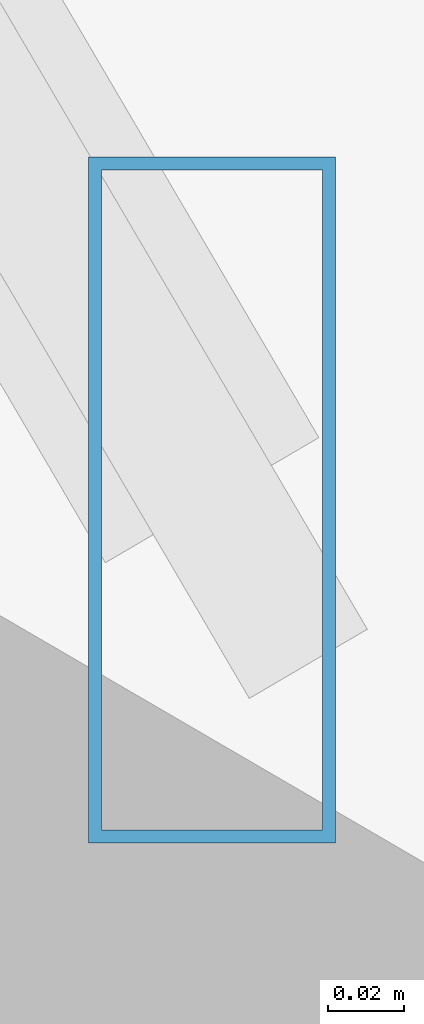
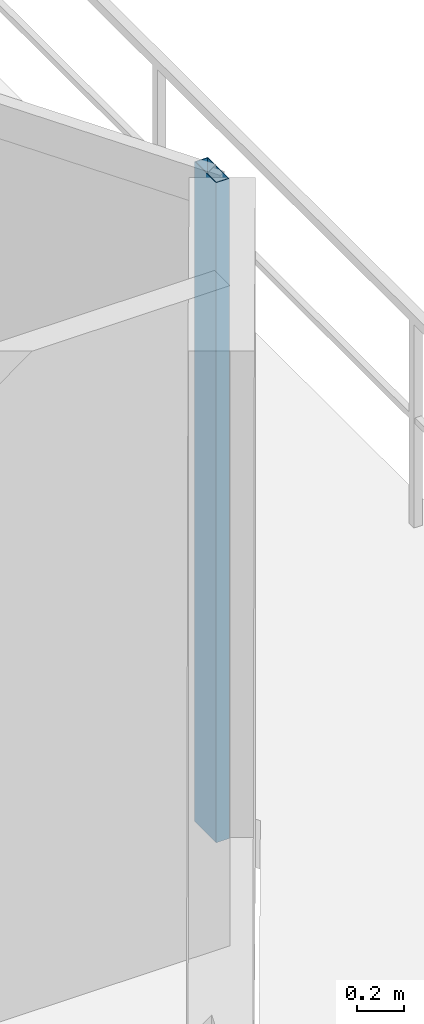
# One storey, part 15 of 35: 1 member, 1 element without a shape of its own.
"""IFC4 building model written with IfcOpenShell, lengths in metres."""

from ifc_helpers import new_model, si_unit, direction, frame, origin, origin_2d, place, context, subcontext, project, spatial, hollow_rectangle, extrude, source, transform, mapped, material, material_profile, profile_set, type_object, type_shapes, element, aggregate, save


model = new_model("IFC4")

# Units and contexts
model_context = context("Model", 3, precision=1e-05, world=origin(), true_north=direction((0.0, 1.0)))
body_context = subcontext(model_context, "Body", "Model", "MODEL_VIEW")
ifc_project = project(units=[si_unit("LENGTHUNIT", "METRE"), si_unit("AREAUNIT", "SQUARE_METRE"), si_unit("VOLUMEUNIT", "CUBIC_METRE"), si_unit("PLANEANGLEUNIT", "RADIAN"), si_unit("MASSUNIT", "GRAM", prefix="KILO")], contexts=[model_context])

# Site, building, storey
site_placement = place(None, origin())
site = spatial("IfcSite", under=ifc_project, at=site_placement, CompositionType="ELEMENT")
building_placement = place(site_placement, origin())
building = spatial("IfcBuilding", under=site, at=building_placement, Name="Caelisora Broadcast Tower", CompositionType="ELEMENT")
storey_placement = place(building_placement, frame((0.0, 0.0, 27.60009765625)))
storey = spatial("IfcBuildingStorey", under=building, at=storey_placement, Name="L06", CompositionType="ELEMENT", Elevation=27.60009765625)

# Curtain wall, member
ifc_material_1 = material(Name="Unitised Aluminium and Low-E Glass Curtain Wall", Category="glass")
curtain_wall_type = type_object("IfcCurtainWallType", Name="CW-Z1", PredefinedType="NOTDEFINED", material=ifc_material_1)
curtain_wall_placement = place(storey_placement, origin())
curtain_wall = element("IfcCurtainWall", 1, at=curtain_wall_placement, inside=storey, type_object=curtain_wall_type, Name="L06 curtain wall CW-Z1", PredefinedType="NOTDEFINED")
ifc_material_2 = material(Name="Aluminium 6063-T6 Anodised Terracotta Bronze", Category="aluminium")
ifc_material_profile = material_profile(ifc_material_2, hollow_rectangle(XDim=0.06494140625, YDim=0.179931640625, WallThickness=0.00341796875, at=origin_2d()), Name="Aluminium 6063-T6 Anodised Terracotta Bronze")
ifc_profile_set = profile_set([ifc_material_profile], Name="Aluminium 6063-T6 Anodised Terracotta Bronze")
member_type = type_object("IfcMemberType", Name="CWM-02", PredefinedType="MULLION", material=ifc_profile_set)
shared_shape = source(origin(), body_context, "Body", "SweptSolid", [
    extrude(hollow_rectangle(XDim=0.06494140625, YDim=0.179931640625, WallThickness=0.00341796875, at=origin_2d()), origin(), (0.0, 0.0, 1.0), 3.39990234375),
])
type_shapes(member_type, [shared_shape])
member_placement = place(storey_placement, frame((64.610595703125, 17.81005859375, 0.0), z_axis=(0.0, 0.0, 1.0), x_axis=(1.0, 0.0, 0.0)))
member = element("IfcMember", 2, at=member_placement, type_object=member_type, Name="L06-CW-B03 mullion #3", PredefinedType="MULLION", context=body_context, shape_type="MappedRepresentation", body=[
    mapped(shared_shape, transform((0.0, 0.0, 0.0), scale=1.0)),
])
aggregate(curtain_wall, [member])

save(model, "model.ifc")
